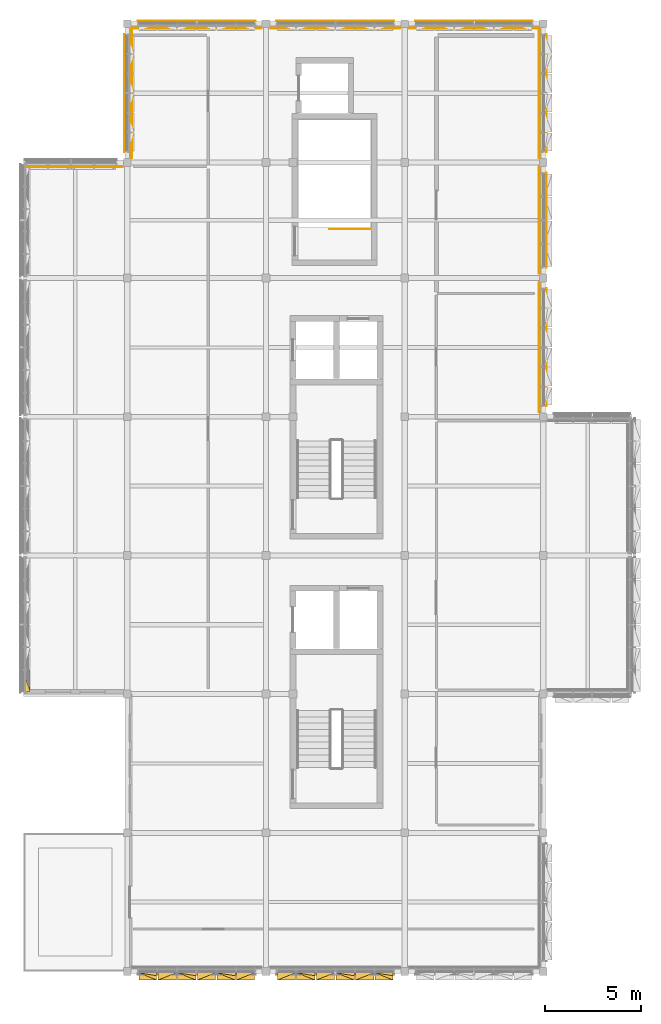
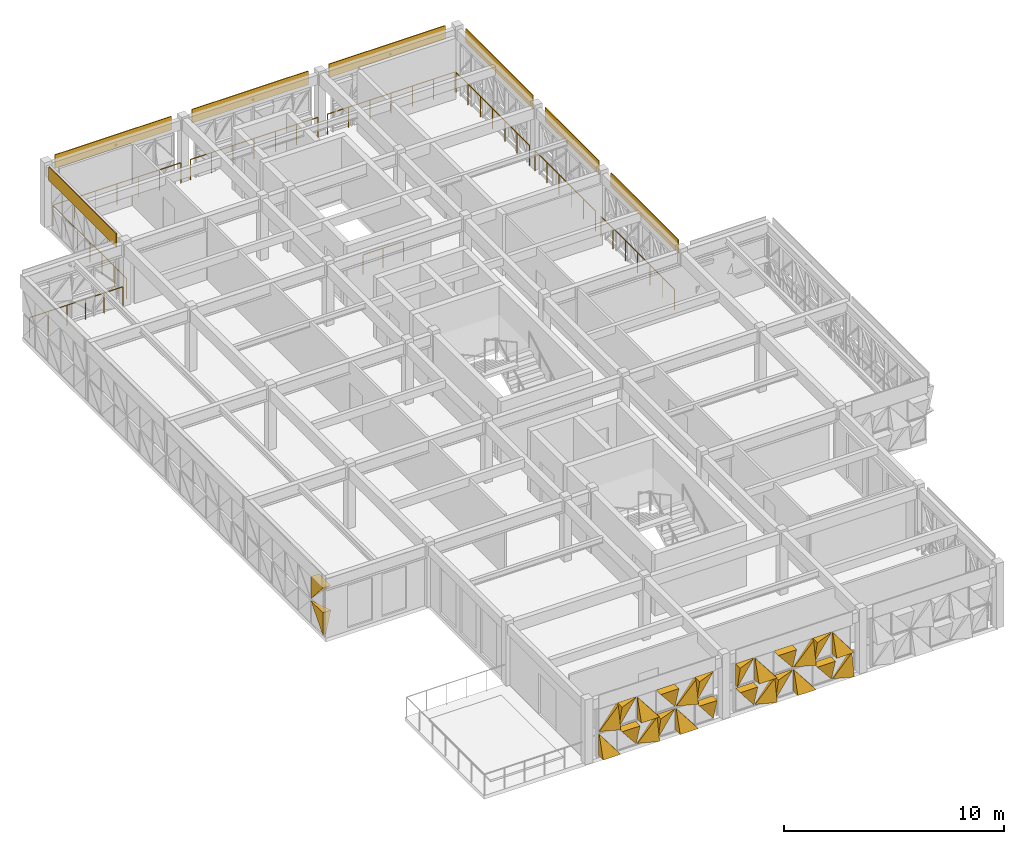
# One storey, part 21 of 25: 33 coverings, 9 railings.
"""IFC4 building model written with IfcOpenShell, lengths in metres."""

from ifc_helpers import new_model, si_unit, direction, frame, origin, origin_2d, place, context, subcontext, project, spatial, polyline, circle, outline, extrude, polygons, material, layer, layer_set, type_object, element, save


model = new_model("IFC4")

# Units and contexts
model_context = context("Model", 3, precision=1e-05, world=origin(), true_north=direction((0.0, 1.0)))
body_context = subcontext(model_context, "Body", "Model", "MODEL_VIEW")
ifc_project = project(units=[si_unit("LENGTHUNIT", "METRE"), si_unit("AREAUNIT", "SQUARE_METRE"), si_unit("VOLUMEUNIT", "CUBIC_METRE"), si_unit("PLANEANGLEUNIT", "RADIAN"), si_unit("MASSUNIT", "GRAM", prefix="KILO")], contexts=[model_context])

# Site, building, storey
site_placement = place(None, origin())
site = spatial("IfcSite", under=ifc_project, at=site_placement, CompositionType="ELEMENT")
building_placement = place(site_placement, origin())
building = spatial("IfcBuilding", under=site, at=building_placement, Name="Alvorim Cloister Faculty of Sciences", CompositionType="ELEMENT")
storey_placement = place(building_placement, frame((0.0, 0.0, 29.699951171875)))
storey = spatial("IfcBuildingStorey", under=building, at=storey_placement, Name="L08", CompositionType="ELEMENT", Elevation=29.699951171875)

# Coverings
ifc_material_1 = material(Name="Anodised Aluminium Alloy 6063-T6", Category="aluminium")
ifc_layer_1 = layer(ifc_material_1, 0.031982421875)
ifc_layer_set_1 = layer_set([ifc_layer_1], Name="Anodised Aluminium Alloy 6063-T6")
covering_type_1 = type_object("IfcCoveringType", Name="COV-FAC-CAS", PredefinedType="CLADDING", material=ifc_layer_set_1)
for number, where, z_axis, x_axis, name in (
    (1, (7.050048828125, 49.739990234375, 2.840087890625), (0.0, 0.0, 1.0), (0.0, 1.0, 0.0), "L08 Shifted Bar Slab-Edge Architectural Fascia"),
    (2, (7.739990234375, 56.550048828125, 2.840087890625), (0.0, 0.0, 1.0), (1.0, 0.0, 0.0), "L08 Shifted Bar Slab-Edge Architectural Fascia"),
    (3, (14.93994140625, 56.550048828125, 2.840087890625), (0.0, 0.0, 1.0), (1.0, 0.0, 0.0), "L08 Shifted Bar Slab-Edge Architectural Fascia"),
    (4, (22.139892578125, 56.550048828125, 2.840087890625), (0.0, 0.0, 1.0), (1.0, 0.0, 0.0), "L08 Shifted Bar Slab-Edge Architectural Fascia"),
    (5, (28.949951171875, 49.739990234375, 2.840087890625), (0.0, 0.0, 1.0), (0.0, 1.0, 0.0), "L08 Shifted Bar Slab-Edge Architectural Fascia"),
):
    element("IfcCovering", number, at=place(storey_placement, frame(where, z_axis=z_axis, x_axis=x_axis)), inside=storey, type_object=covering_type_1, Name=name, PredefinedType="CLADDING", context=body_context, shape_type="SweptSolid", body=[
        extrude(outline(polyline([(0.0, 0.0), (6.1201171875, 0.0), (6.1201171875, 0.75), (0.0, 0.75), (0.0, 0.0)])), frame((0.0, 0.0224609375, 0.0), z_axis=(0.0, -1.0, 0.0), x_axis=(1.0, 0.0, 0.0)), (0.0, 0.0, 1.0), 0.044921875),
    ])
covering_1_placement = place(storey_placement, frame((28.949951171875, 43.739990234375, 2.840087890625), z_axis=(0.0, 0.0, 1.0), x_axis=(0.0, 1.0, 0.0)))
element("IfcCovering", 6, at=covering_1_placement, inside=storey, type_object=covering_type_1, Name="L08 Shifted Bar Slab-Edge Architectural Fascia", PredefinedType="CLADDING", context=body_context, shape_type="SweptSolid", body=[
    extrude(outline(polyline([(0.0, 0.0), (4.919921875, 0.0), (4.919921875, 0.75), (0.0, 0.75), (0.0, 0.0)])), frame((0.0, 0.0224609375, 0.0), z_axis=(0.0, -1.0, 0.0), x_axis=(1.0, 0.0, 0.0)), (0.0, 0.0, 1.0), 0.044921875),
])
covering_2_placement = place(storey_placement, frame((28.949951171875, 36.5400390625, 2.840087890625), z_axis=(0.0, 0.0, 1.0), x_axis=(0.0, 1.0, 0.0)))
element("IfcCovering", 7, at=covering_2_placement, inside=storey, type_object=covering_type_1, Name="L08 Shifted Bar Slab-Edge Architectural Fascia", PredefinedType="CLADDING", context=body_context, shape_type="SweptSolid", body=[
    extrude(outline(polyline([(0.0, 0.0), (6.1201171875, 0.0), (6.1201171875, 0.75), (0.0, 0.75), (0.0, 0.0)])), frame((0.0, 0.0224609375, 0.0), z_axis=(0.0, -1.0, 0.0), x_axis=(1.0, 0.0, 0.0)), (0.0, 0.0, 1.0), 0.044921875),
])
ifc_material_2 = material(Name="Perforated Bronze Alloy Sheet", Category="metal")
ifc_layer_2 = layer(ifc_material_2, 0.0380859375)
ifc_layer_set_2 = layer_set([ifc_layer_2], Name="Perforated Bronze Alloy Sheet")
covering_type_2 = type_object("IfcCoveringType", Name="COV-TRI-BRZ", PredefinedType="CLADDING", material=ifc_layer_set_2)
covering_3_placement = place(storey_placement, frame((1.7548828125, 21.7451171875, 0.14013671875), z_axis=(0.0, 0.0, 1.0), x_axis=(0.0, 1.0, 0.0)))
element("IfcCovering", 8, at=covering_3_placement, inside=storey, type_object=covering_type_2, Name="Diagonal Solid Metal Triangle TRI-TL", PredefinedType="CLADDING", context=body_context, shape_type="Tessellation", body=[
    polygons([(1.073927734375, 0.0260009765625, 1.223388671875), (0.0, 0.0260009765625, 1.223388671875), (0.0, 0.0260009765625, 0.002), (1.073927734375, -0.03, 1.223388671875), (0.0, -0.4, 1.223388671875), (0.0, -0.13999999999999999, 0.002)], [[[1, 3, 2]], [[4, 5, 6]], [[1, 2, 5, 4]], [[2, 3, 6, 5]], [[3, 1, 4, 6]]], closed=True),
])
covering_4_placement = place(storey_placement, frame((1.7548828125, 21.7451171875, 1.503662109375), z_axis=(0.0, 0.0, 1.0), x_axis=(0.0, 1.0, 0.0)))
element("IfcCovering", 9, at=covering_4_placement, inside=storey, type_object=covering_type_2, Name="Diagonal Solid Metal Triangle TRI-TR", PredefinedType="CLADDING", context=body_context, shape_type="Tessellation", body=[
    polygons([(1.075927734375, 0.0260009765625, 0.002), (1.075927734375, 0.0260009765625, 1.223388671875), (0.002, 0.0260009765625, 1.223388671875), (1.075927734375, -0.03, 0.002), (1.075927734375, -0.4, 1.223388671875), (0.002, -0.4, 1.223388671875)], [[[1, 3, 2]], [[4, 5, 6]], [[1, 2, 5, 4]], [[2, 3, 6, 5]], [[3, 1, 4, 6]]], closed=True),
])
covering_5_placement = place(storey_placement, frame((15.0048828125, 7.155029296875, 0.14013671875), z_axis=(0.0, 0.0, 1.0), x_axis=(1.0, 0.0, 0.0)))
element("IfcCovering", 10, at=covering_5_placement, inside=storey, type_object=covering_type_2, Name="Diagonal Solid Metal Triangle TRI-TR", PredefinedType="CLADDING", context=body_context, shape_type="Tessellation", body=[
    polygons([(0.922607421875, 0.0260009765625, 0.002), (0.922607421875, 0.0260009765625, 1.219970703125), (0.002, 0.0260009765625, 1.219970703125), (0.922607421875, -0.03, 0.002), (0.922607421875, -0.4, 1.219970703125), (0.002, -0.4, 1.219970703125)], [[[1, 3, 2]], [[4, 5, 6]], [[1, 2, 5, 4]], [[2, 3, 6, 5]], [[3, 1, 4, 6]]], closed=True),
])
covering_6_placement = place(storey_placement, frame((15.0048828125, 7.155029296875, 1.5), z_axis=(0.0, 0.0, 1.0), x_axis=(1.0, 0.0, 0.0)))
element("IfcCovering", 11, at=covering_6_placement, inside=storey, type_object=covering_type_2, Name="Diagonal Solid Metal Triangle TRI-TL", PredefinedType="CLADDING", context=body_context, shape_type="Tessellation", body=[
    polygons([(0.920607421875, 0.0260009765625, 1.219970703125), (0.0, 0.0260009765625, 1.219970703125), (0.0, 0.0260009765625, 0.002), (0.920607421875, -0.03, 1.219970703125), (0.0, -0.4, 1.219970703125), (0.0, -0.13999999999999999, 0.002)], [[[1, 3, 2]], [[4, 5, 6]], [[1, 2, 5, 4]], [[2, 3, 6, 5]], [[3, 1, 4, 6]]], closed=True),
])
covering_7_placement = place(storey_placement, frame((15.992431640625, 7.155029296875, 0.14013671875), z_axis=(0.0, 0.0, 1.0), x_axis=(1.0, 0.0, 0.0)))
element("IfcCovering", 12, at=covering_7_placement, inside=storey, type_object=covering_type_2, Name="Diagonal Solid Metal Triangle TRI-BR", PredefinedType="CLADDING", context=body_context, shape_type="Tessellation", body=[
    polygons([(0.002, 0.0260009765625, 0.0), (0.955078125, 0.0260009765625, 0.0), (0.955078125, 0.0260009765625, 1.217970703125), (0.002, -0.03, 0.0), (0.955078125, -0.4, 0.0), (0.955078125, -0.18000000000000002, 1.217970703125)], [[[1, 3, 2]], [[4, 5, 6]], [[1, 2, 5, 4]], [[2, 3, 6, 5]], [[3, 1, 4, 6]]], closed=True),
])
covering_8_placement = place(storey_placement, frame((15.992431640625, 7.155029296875, 1.5), z_axis=(0.0, 0.0, 1.0), x_axis=(1.0, 0.0, 0.0)))
element("IfcCovering", 13, at=covering_8_placement, inside=storey, type_object=covering_type_2, Name="Diagonal Solid Metal Triangle TRI-BL", PredefinedType="CLADDING", context=body_context, shape_type="Tessellation", body=[
    polygons([(0.0, 0.0260009765625, 0.0), (0.953078125, 0.0260009765625, 0.0), (0.0, 0.0260009765625, 1.217970703125), (0.0, -0.4, 0.0), (0.953078125, -0.4, 0.0), (0.0, -0.03, 1.217970703125)], [[[1, 3, 2]], [[4, 5, 6]], [[1, 2, 5, 4]], [[2, 3, 6, 5]], [[3, 1, 4, 6]]], closed=True),
])
covering_9_placement = place(storey_placement, frame((17.012451171875, 7.155029296875, 0.14013671875), z_axis=(0.0, 0.0, 1.0), x_axis=(1.0, 0.0, 0.0)))
element("IfcCovering", 14, at=covering_9_placement, inside=storey, type_object=covering_type_2, Name="Diagonal Solid Metal Triangle TRI-TL", PredefinedType="CLADDING", context=body_context, shape_type="Tessellation", body=[
    polygons([(0.953078125, 0.0260009765625, 1.219970703125), (0.0, 0.0260009765625, 1.219970703125), (0.0, 0.0260009765625, 0.002), (0.953078125, -0.03, 1.219970703125), (0.0, -0.4, 1.219970703125), (0.0, -0.13999999999999999, 0.002)], [[[1, 3, 2]], [[4, 5, 6]], [[1, 2, 5, 4]], [[2, 3, 6, 5]], [[3, 1, 4, 6]]], closed=True),
])
covering_10_placement = place(storey_placement, frame((17.012451171875, 7.155029296875, 1.5), z_axis=(0.0, 0.0, 1.0), x_axis=(1.0, 0.0, 0.0)))
element("IfcCovering", 15, at=covering_10_placement, inside=storey, type_object=covering_type_2, Name="Diagonal Solid Metal Triangle TRI-TR", PredefinedType="CLADDING", context=body_context, shape_type="Tessellation", body=[
    polygons([(0.955078125, 0.0260009765625, 0.002), (0.955078125, 0.0260009765625, 1.219970703125), (0.002, 0.0260009765625, 1.219970703125), (0.955078125, -0.03, 0.002), (0.955078125, -0.4, 1.219970703125), (0.002, -0.4, 1.219970703125)], [[[1, 3, 2]], [[4, 5, 6]], [[1, 2, 5, 4]], [[2, 3, 6, 5]], [[3, 1, 4, 6]]], closed=True),
])
covering_11_placement = place(storey_placement, frame((18.032470703125, 7.155029296875, 0.14013671875), z_axis=(0.0, 0.0, 1.0), x_axis=(1.0, 0.0, 0.0)))
element("IfcCovering", 16, at=covering_11_placement, inside=storey, type_object=covering_type_2, Name="Diagonal Solid Metal Triangle TRI-BL", PredefinedType="CLADDING", context=body_context, shape_type="Tessellation", body=[
    polygons([(0.0, 0.0260009765625, 0.0), (0.953078125, 0.0260009765625, 0.0), (0.0, 0.0260009765625, 1.217970703125), (0.0, -0.4, 0.0), (0.953078125, -0.4, 0.0), (0.0, -0.03, 1.217970703125)], [[[1, 3, 2]], [[4, 5, 6]], [[1, 2, 5, 4]], [[2, 3, 6, 5]], [[3, 1, 4, 6]]], closed=True),
])
covering_12_placement = place(storey_placement, frame((18.032470703125, 7.155029296875, 1.5), z_axis=(0.0, 0.0, 1.0), x_axis=(1.0, 0.0, 0.0)))
element("IfcCovering", 17, at=covering_12_placement, inside=storey, type_object=covering_type_2, Name="Diagonal Solid Metal Triangle TRI-BR", PredefinedType="CLADDING", context=body_context, shape_type="Tessellation", body=[
    polygons([(0.002, 0.0260009765625, 0.0), (0.955078125, 0.0260009765625, 0.0), (0.955078125, 0.0260009765625, 1.217970703125), (0.002, -0.03, 0.0), (0.955078125, -0.4, 0.0), (0.955078125, -0.18000000000000002, 1.217970703125)], [[[1, 3, 2]], [[4, 5, 6]], [[1, 2, 5, 4]], [[2, 3, 6, 5]], [[3, 1, 4, 6]]], closed=True),
])
covering_13_placement = place(storey_placement, frame((19.052490234375, 7.155029296875, 0.14013671875), z_axis=(0.0, 0.0, 1.0), x_axis=(1.0, 0.0, 0.0)))
element("IfcCovering", 18, at=covering_13_placement, inside=storey, type_object=covering_type_2, Name="Diagonal Solid Metal Triangle TRI-TR", PredefinedType="CLADDING", context=body_context, shape_type="Tessellation", body=[
    polygons([(0.955078125, 0.0260009765625, 0.002), (0.955078125, 0.0260009765625, 1.219970703125), (0.002, 0.0260009765625, 1.219970703125), (0.955078125, -0.03, 0.002), (0.955078125, -0.4, 1.219970703125), (0.002, -0.4, 1.219970703125)], [[[1, 3, 2]], [[4, 5, 6]], [[1, 2, 5, 4]], [[2, 3, 6, 5]], [[3, 1, 4, 6]]], closed=True),
])
covering_14_placement = place(storey_placement, frame((19.052490234375, 7.155029296875, 1.5), z_axis=(0.0, 0.0, 1.0), x_axis=(1.0, 0.0, 0.0)))
element("IfcCovering", 19, at=covering_14_placement, inside=storey, type_object=covering_type_2, Name="Diagonal Solid Metal Triangle TRI-TL", PredefinedType="CLADDING", context=body_context, shape_type="Tessellation", body=[
    polygons([(0.953078125, 0.0260009765625, 1.219970703125), (0.0, 0.0260009765625, 1.219970703125), (0.0, 0.0260009765625, 0.002), (0.953078125, -0.03, 1.219970703125), (0.0, -0.4, 1.219970703125), (0.0, -0.13999999999999999, 0.002)], [[[1, 3, 2]], [[4, 5, 6]], [[1, 2, 5, 4]], [[2, 3, 6, 5]], [[3, 1, 4, 6]]], closed=True),
])
covering_15_placement = place(storey_placement, frame((20.072509765625, 7.155029296875, 0.14013671875), z_axis=(0.0, 0.0, 1.0), x_axis=(1.0, 0.0, 0.0)))
element("IfcCovering", 20, at=covering_15_placement, inside=storey, type_object=covering_type_2, Name="Diagonal Solid Metal Triangle TRI-BR", PredefinedType="CLADDING", context=body_context, shape_type="Tessellation", body=[
    polygons([(0.002, 0.0260009765625, 0.0), (0.922607421875, 0.0260009765625, 0.0), (0.922607421875, 0.0260009765625, 1.217970703125), (0.002, -0.03, 0.0), (0.922607421875, -0.4, 0.0), (0.922607421875, -0.18000000000000002, 1.217970703125)], [[[1, 3, 2]], [[4, 5, 6]], [[1, 2, 5, 4]], [[2, 3, 6, 5]], [[3, 1, 4, 6]]], closed=True),
])
for number, where, z_axis, x_axis, name in (
    (21, (20.072509765625, 7.155029296875, 1.5), (0.0, 0.0, 1.0), (1.0, 0.0, 0.0), "Diagonal Solid Metal Triangle TRI-BL"),
    (22, (7.804931640625, 7.155029296875, 0.14013671875), (0.0, 0.0, 1.0), (1.0, 0.0, 0.0), "Diagonal Solid Metal Triangle TRI-BL"),
):
    element("IfcCovering", number, at=place(storey_placement, frame(where, z_axis=z_axis, x_axis=x_axis)), inside=storey, type_object=covering_type_2, Name=name, PredefinedType="CLADDING", context=body_context, shape_type="Tessellation", body=[
        polygons([(0.0, 0.0260009765625, 0.0), (0.920607421875, 0.0260009765625, 0.0), (0.0, 0.0260009765625, 1.217970703125), (0.0, -0.4, 0.0), (0.920607421875, -0.4, 0.0), (0.0, -0.03, 1.217970703125)], [[[1, 3, 2]], [[4, 5, 6]], [[1, 2, 5, 4]], [[2, 3, 6, 5]], [[3, 1, 4, 6]]], closed=True),
    ])
covering_16_placement = place(storey_placement, frame((7.804931640625, 7.155029296875, 1.5), z_axis=(0.0, 0.0, 1.0), x_axis=(1.0, 0.0, 0.0)))
element("IfcCovering", 23, at=covering_16_placement, inside=storey, type_object=covering_type_2, Name="Diagonal Solid Metal Triangle TRI-BR", PredefinedType="CLADDING", context=body_context, shape_type="Tessellation", body=[
    polygons([(0.002, 0.0260009765625, 0.0), (0.922607421875, 0.0260009765625, 0.0), (0.922607421875, 0.0260009765625, 1.217970703125), (0.002, -0.03, 0.0), (0.922607421875, -0.4, 0.0), (0.922607421875, -0.18000000000000002, 1.217970703125)], [[[1, 3, 2]], [[4, 5, 6]], [[1, 2, 5, 4]], [[2, 3, 6, 5]], [[3, 1, 4, 6]]], closed=True),
])
covering_17_placement = place(storey_placement, frame((8.79248046875, 7.155029296875, 0.14013671875), z_axis=(0.0, 0.0, 1.0), x_axis=(1.0, 0.0, 0.0)))
element("IfcCovering", 24, at=covering_17_placement, inside=storey, type_object=covering_type_2, Name="Diagonal Solid Metal Triangle TRI-TR", PredefinedType="CLADDING", context=body_context, shape_type="Tessellation", body=[
    polygons([(0.955078125, 0.0260009765625, 0.002), (0.955078125, 0.0260009765625, 1.219970703125), (0.002, 0.0260009765625, 1.219970703125), (0.955078125, -0.03, 0.002), (0.955078125, -0.4, 1.219970703125), (0.002, -0.4, 1.219970703125)], [[[1, 3, 2]], [[4, 5, 6]], [[1, 2, 5, 4]], [[2, 3, 6, 5]], [[3, 1, 4, 6]]], closed=True),
])
covering_18_placement = place(storey_placement, frame((8.79248046875, 7.155029296875, 1.5), z_axis=(0.0, 0.0, 1.0), x_axis=(1.0, 0.0, 0.0)))
element("IfcCovering", 25, at=covering_18_placement, inside=storey, type_object=covering_type_2, Name="Diagonal Solid Metal Triangle TRI-TL", PredefinedType="CLADDING", context=body_context, shape_type="Tessellation", body=[
    polygons([(0.953078125, 0.0260009765625, 1.219970703125), (0.0, 0.0260009765625, 1.219970703125), (0.0, 0.0260009765625, 0.002), (0.953078125, -0.03, 1.219970703125), (0.0, -0.4, 1.219970703125), (0.0, -0.13999999999999999, 0.002)], [[[1, 3, 2]], [[4, 5, 6]], [[1, 2, 5, 4]], [[2, 3, 6, 5]], [[3, 1, 4, 6]]], closed=True),
])
covering_19_placement = place(storey_placement, frame((9.8125, 7.155029296875, 0.14013671875), z_axis=(0.0, 0.0, 1.0), x_axis=(1.0, 0.0, 0.0)))
element("IfcCovering", 26, at=covering_19_placement, inside=storey, type_object=covering_type_2, Name="Diagonal Solid Metal Triangle TRI-BR", PredefinedType="CLADDING", context=body_context, shape_type="Tessellation", body=[
    polygons([(0.002, 0.0260009765625, 0.0), (0.955078125, 0.0260009765625, 0.0), (0.955078125, 0.0260009765625, 1.217970703125), (0.002, -0.03, 0.0), (0.955078125, -0.4, 0.0), (0.955078125, -0.18000000000000002, 1.217970703125)], [[[1, 3, 2]], [[4, 5, 6]], [[1, 2, 5, 4]], [[2, 3, 6, 5]], [[3, 1, 4, 6]]], closed=True),
])
covering_20_placement = place(storey_placement, frame((9.8125, 7.155029296875, 1.5), z_axis=(0.0, 0.0, 1.0), x_axis=(1.0, 0.0, 0.0)))
element("IfcCovering", 27, at=covering_20_placement, inside=storey, type_object=covering_type_2, Name="Diagonal Solid Metal Triangle TRI-BL", PredefinedType="CLADDING", context=body_context, shape_type="Tessellation", body=[
    polygons([(0.0, 0.0260009765625, 0.0), (0.953078125, 0.0260009765625, 0.0), (0.0, 0.0260009765625, 1.217970703125), (0.0, -0.4, 0.0), (0.953078125, -0.4, 0.0), (0.0, -0.03, 1.217970703125)], [[[1, 3, 2]], [[4, 5, 6]], [[1, 2, 5, 4]], [[2, 3, 6, 5]], [[3, 1, 4, 6]]], closed=True),
])
covering_21_placement = place(storey_placement, frame((10.83251953125, 7.155029296875, 0.14013671875), z_axis=(0.0, 0.0, 1.0), x_axis=(1.0, 0.0, 0.0)))
element("IfcCovering", 28, at=covering_21_placement, inside=storey, type_object=covering_type_2, Name="Diagonal Solid Metal Triangle TRI-TL", PredefinedType="CLADDING", context=body_context, shape_type="Tessellation", body=[
    polygons([(0.953078125, 0.0260009765625, 1.219970703125), (0.0, 0.0260009765625, 1.219970703125), (0.0, 0.0260009765625, 0.002), (0.953078125, -0.03, 1.219970703125), (0.0, -0.4, 1.219970703125), (0.0, -0.13999999999999999, 0.002)], [[[1, 3, 2]], [[4, 5, 6]], [[1, 2, 5, 4]], [[2, 3, 6, 5]], [[3, 1, 4, 6]]], closed=True),
])
covering_22_placement = place(storey_placement, frame((10.83251953125, 7.155029296875, 1.5), z_axis=(0.0, 0.0, 1.0), x_axis=(1.0, 0.0, 0.0)))
element("IfcCovering", 29, at=covering_22_placement, inside=storey, type_object=covering_type_2, Name="Diagonal Solid Metal Triangle TRI-TR", PredefinedType="CLADDING", context=body_context, shape_type="Tessellation", body=[
    polygons([(0.955078125, 0.0260009765625, 0.002), (0.955078125, 0.0260009765625, 1.219970703125), (0.002, 0.0260009765625, 1.219970703125), (0.955078125, -0.03, 0.002), (0.955078125, -0.4, 1.219970703125), (0.002, -0.4, 1.219970703125)], [[[1, 3, 2]], [[4, 5, 6]], [[1, 2, 5, 4]], [[2, 3, 6, 5]], [[3, 1, 4, 6]]], closed=True),
])
covering_23_placement = place(storey_placement, frame((11.8525390625, 7.155029296875, 0.14013671875), z_axis=(0.0, 0.0, 1.0), x_axis=(1.0, 0.0, 0.0)))
element("IfcCovering", 30, at=covering_23_placement, inside=storey, type_object=covering_type_2, Name="Diagonal Solid Metal Triangle TRI-BL", PredefinedType="CLADDING", context=body_context, shape_type="Tessellation", body=[
    polygons([(0.0, 0.0260009765625, 0.0), (0.953078125, 0.0260009765625, 0.0), (0.0, 0.0260009765625, 1.217970703125), (0.0, -0.4, 0.0), (0.953078125, -0.4, 0.0), (0.0, -0.03, 1.217970703125)], [[[1, 3, 2]], [[4, 5, 6]], [[1, 2, 5, 4]], [[2, 3, 6, 5]], [[3, 1, 4, 6]]], closed=True),
])
covering_24_placement = place(storey_placement, frame((11.8525390625, 7.155029296875, 1.5), z_axis=(0.0, 0.0, 1.0), x_axis=(1.0, 0.0, 0.0)))
element("IfcCovering", 31, at=covering_24_placement, inside=storey, type_object=covering_type_2, Name="Diagonal Solid Metal Triangle TRI-BR", PredefinedType="CLADDING", context=body_context, shape_type="Tessellation", body=[
    polygons([(0.002, 0.0260009765625, 0.0), (0.955078125, 0.0260009765625, 0.0), (0.955078125, 0.0260009765625, 1.217970703125), (0.002, -0.03, 0.0), (0.955078125, -0.4, 0.0), (0.955078125, -0.18000000000000002, 1.217970703125)], [[[1, 3, 2]], [[4, 5, 6]], [[1, 2, 5, 4]], [[2, 3, 6, 5]], [[3, 1, 4, 6]]], closed=True),
])
covering_25_placement = place(storey_placement, frame((12.87255859375, 7.155029296875, 0.14013671875), z_axis=(0.0, 0.0, 1.0), x_axis=(1.0, 0.0, 0.0)))
element("IfcCovering", 32, at=covering_25_placement, inside=storey, type_object=covering_type_2, Name="Diagonal Solid Metal Triangle TRI-TR", PredefinedType="CLADDING", context=body_context, shape_type="Tessellation", body=[
    polygons([(0.922607421875, 0.0260009765625, 0.002), (0.922607421875, 0.0260009765625, 1.219970703125), (0.002, 0.0260009765625, 1.219970703125), (0.922607421875, -0.03, 0.002), (0.922607421875, -0.4, 1.219970703125), (0.002, -0.4, 1.219970703125)], [[[1, 3, 2]], [[4, 5, 6]], [[1, 2, 5, 4]], [[2, 3, 6, 5]], [[3, 1, 4, 6]]], closed=True),
])
covering_26_placement = place(storey_placement, frame((12.87255859375, 7.155029296875, 1.5), z_axis=(0.0, 0.0, 1.0), x_axis=(1.0, 0.0, 0.0)))
element("IfcCovering", 33, at=covering_26_placement, inside=storey, type_object=covering_type_2, Name="Diagonal Solid Metal Triangle TRI-TL", PredefinedType="CLADDING", context=body_context, shape_type="Tessellation", body=[
    polygons([(0.920607421875, 0.0260009765625, 1.219970703125), (0.0, 0.0260009765625, 1.219970703125), (0.0, 0.0260009765625, 0.002), (0.920607421875, -0.03, 1.219970703125), (0.0, -0.4, 1.219970703125), (0.0, -0.13999999999999999, 0.002)], [[[1, 3, 2]], [[4, 5, 6]], [[1, 2, 5, 4]], [[2, 3, 6, 5]], [[3, 1, 4, 6]]], closed=True),
])

# Railings
ifc_material_3 = material(Name="Laminated Safety Glass and Bronze", Category="glass")
railing_type_1 = type_object("IfcRailingType", Name="RL-ATR-BAL-1150", PredefinedType="BALUSTRADE", material=ifc_material_3)
railing_1_placement = place(storey_placement, frame((2.050048828125, 48.97998046875, 0.0)))
element("IfcRailing", 34, at=railing_1_placement, inside=storey, type_object=railing_type_1, Name="L08 Curtain Wall Sill Guard BL-279", PredefinedType="BALUSTRADE", context=body_context, shape_type="SweptSolid", body=[
    extrude(circle(Radius=0.02392578125, at=origin_2d()), frame((0.0, 0.0, 1.1259765625), z_axis=(1.0, 0.0, 0.0), x_axis=(0.0, 1.0, 0.0)), (0.0, 0.0, 1.0), 4.89990234375),
    extrude(circle(Radius=0.02099609375, at=origin_2d()), origin(), (0.0, 0.0, 1.0), 1.101806640625),
    extrude(circle(Radius=0.02099609375, at=origin_2d()), frame((0.97998046875, 0.0, 0.0)), (0.0, 0.0, 1.0), 1.101806640625),
    extrude(circle(Radius=0.02099609375, at=origin_2d()), frame((1.9599609375, 0.0, 0.0)), (0.0, 0.0, 1.0), 1.101806640625),
    extrude(circle(Radius=0.02099609375, at=origin_2d()), frame((2.93994140625, 0.0, 0.0)), (0.0, 0.0, 1.0), 1.101806640625),
    extrude(circle(Radius=0.02099609375, at=origin_2d()), frame((3.919921875, 0.0, 0.0)), (0.0, 0.0, 1.0), 1.101806640625),
    extrude(circle(Radius=0.02099609375, at=origin_2d()), frame((4.89990234375, 0.0, 0.0)), (0.0, 0.0, 1.0), 1.101806640625),
])
railing_2_placement = place(storey_placement, frame((7.419921875, 49.449951171875, 0.0)))
element("IfcRailing", 35, at=railing_2_placement, inside=storey, type_object=railing_type_1, Name="L08 Curtain Wall Sill Guard BL-280", PredefinedType="BALUSTRADE", context=body_context, shape_type="SweptSolid", body=[
    extrude(circle(Radius=0.02392578125, at=origin_2d()), frame((0.0, 0.0, 1.1259765625), z_axis=(0.0, 1.0, 0.0), x_axis=(-1.0, 0.0, 0.0)), (0.0, 0.0, 1.0), 6.699951171875),
    extrude(circle(Radius=0.02099609375, at=origin_2d()), origin(), (0.0, 0.0, 1.0), 1.101806640625),
    extrude(circle(Radius=0.02099609375, at=origin_2d()), frame((0.0, 1.11669921875, 0.0)), (0.0, 0.0, 1.0), 1.101806640625),
    extrude(circle(Radius=0.02099609375, at=origin_2d()), frame((0.0, 2.2333984375, 0.0)), (0.0, 0.0, 1.0), 1.101806640625),
    extrude(circle(Radius=0.02099609375, at=origin_2d()), frame((0.0, 3.35009765625, 0.0)), (0.0, 0.0, 1.0), 1.101806640625),
    extrude(circle(Radius=0.02099609375, at=origin_2d()), frame((0.0, 4.466552734375, 0.0)), (0.0, 0.0, 1.0), 1.101806640625),
    extrude(circle(Radius=0.02099609375, at=origin_2d()), frame((0.0, 5.583251953125, 0.0)), (0.0, 0.0, 1.0), 1.101806640625),
    extrude(circle(Radius=0.02099609375, at=origin_2d()), frame((0.0, 6.699951171875, 0.0)), (0.0, 0.0, 1.0), 1.101806640625),
])
railing_3_placement = place(storey_placement, frame((7.449951171875, 56.179931640625, 0.0)))
element("IfcRailing", 36, at=railing_3_placement, inside=storey, type_object=railing_type_1, Name="L08 Curtain Wall Sill Guard BL-281", PredefinedType="BALUSTRADE", context=body_context, shape_type="SweptSolid", body=[
    extrude(circle(Radius=0.02392578125, at=origin_2d()), frame((0.0, 0.0, 1.1259765625), z_axis=(1.0, 0.0, 0.0), x_axis=(0.0, 1.0, 0.0)), (0.0, 0.0, 1.0), 6.699951171875),
    extrude(circle(Radius=0.02099609375, at=origin_2d()), origin(), (0.0, 0.0, 1.0), 1.101806640625),
    extrude(circle(Radius=0.02099609375, at=origin_2d()), frame((1.11669921875, 0.0, 0.0)), (0.0, 0.0, 1.0), 1.101806640625),
    extrude(circle(Radius=0.02099609375, at=origin_2d()), frame((2.2333984375, 0.0, 0.0)), (0.0, 0.0, 1.0), 1.101806640625),
    extrude(circle(Radius=0.02099609375, at=origin_2d()), frame((3.35009765625, 0.0, 0.0)), (0.0, 0.0, 1.0), 1.101806640625),
    extrude(circle(Radius=0.02099609375, at=origin_2d()), frame((4.466552734375, 0.0, 0.0)), (0.0, 0.0, 1.0), 1.101806640625),
    extrude(circle(Radius=0.02099609375, at=origin_2d()), frame((5.583251953125, 0.0, 0.0)), (0.0, 0.0, 1.0), 1.101806640625),
    extrude(circle(Radius=0.02099609375, at=origin_2d()), frame((6.699951171875, 0.0, 0.0)), (0.0, 0.0, 1.0), 1.101806640625),
])
railing_4_placement = place(storey_placement, frame((14.64990234375, 56.179931640625, 0.0)))
element("IfcRailing", 37, at=railing_4_placement, inside=storey, type_object=railing_type_1, Name="L08 Curtain Wall Sill Guard BL-282", PredefinedType="BALUSTRADE", context=body_context, shape_type="SweptSolid", body=[
    extrude(circle(Radius=0.02392578125, at=origin_2d()), frame((0.0, 0.0, 1.1259765625), z_axis=(1.0, 0.0, 0.0), x_axis=(0.0, 1.0, 0.0)), (0.0, 0.0, 1.0), 6.7001953125),
    extrude(circle(Radius=0.02099609375, at=origin_2d()), origin(), (0.0, 0.0, 1.0), 1.101806640625),
    extrude(circle(Radius=0.02099609375, at=origin_2d()), frame((1.11669921875, 0.0, 0.0)), (0.0, 0.0, 1.0), 1.101806640625),
    extrude(circle(Radius=0.02099609375, at=origin_2d()), frame((2.2333984375, 0.0, 0.0)), (0.0, 0.0, 1.0), 1.101806640625),
    extrude(circle(Radius=0.02099609375, at=origin_2d()), frame((3.35009765625, 0.0, 0.0)), (0.0, 0.0, 1.0), 1.101806640625),
    extrude(circle(Radius=0.02099609375, at=origin_2d()), frame((4.466796875, 0.0, 0.0)), (0.0, 0.0, 1.0), 1.101806640625),
    extrude(circle(Radius=0.02099609375, at=origin_2d()), frame((5.58349609375, 0.0, 0.0)), (0.0, 0.0, 1.0), 1.101806640625),
    extrude(circle(Radius=0.02099609375, at=origin_2d()), frame((6.7001953125, 0.0, 0.0)), (0.0, 0.0, 1.0), 1.101806640625),
])
railing_5_placement = place(storey_placement, frame((21.85009765625, 56.179931640625, 0.0)))
element("IfcRailing", 38, at=railing_5_placement, inside=storey, type_object=railing_type_1, Name="L08 Curtain Wall Sill Guard BL-283", PredefinedType="BALUSTRADE", context=body_context, shape_type="SweptSolid", body=[
    extrude(circle(Radius=0.02392578125, at=origin_2d()), frame((0.0, 0.0, 1.1259765625), z_axis=(1.0, 0.0, 0.0), x_axis=(0.0, 1.0, 0.0)), (0.0, 0.0, 1.0), 6.699951171875),
    extrude(circle(Radius=0.02099609375, at=origin_2d()), origin(), (0.0, 0.0, 1.0), 1.101806640625),
    extrude(circle(Radius=0.02099609375, at=origin_2d()), frame((1.11669921875, 0.0, 0.0)), (0.0, 0.0, 1.0), 1.101806640625),
    extrude(circle(Radius=0.02099609375, at=origin_2d()), frame((2.2333984375, 0.0, 0.0)), (0.0, 0.0, 1.0), 1.101806640625),
    extrude(circle(Radius=0.02099609375, at=origin_2d()), frame((3.35009765625, 0.0, 0.0)), (0.0, 0.0, 1.0), 1.101806640625),
    extrude(circle(Radius=0.02099609375, at=origin_2d()), frame((4.466552734375, 0.0, 0.0)), (0.0, 0.0, 1.0), 1.101806640625),
    extrude(circle(Radius=0.02099609375, at=origin_2d()), frame((5.583251953125, 0.0, 0.0)), (0.0, 0.0, 1.0), 1.101806640625),
    extrude(circle(Radius=0.02099609375, at=origin_2d()), frame((6.699951171875, 0.0, 0.0)), (0.0, 0.0, 1.0), 1.101806640625),
])
railing_6_placement = place(storey_placement, frame((28.580078125, 49.449951171875, 0.0)))
element("IfcRailing", 39, at=railing_6_placement, inside=storey, type_object=railing_type_1, Name="L08 Curtain Wall Sill Guard BL-284", PredefinedType="BALUSTRADE", context=body_context, shape_type="SweptSolid", body=[
    extrude(circle(Radius=0.02392578125, at=origin_2d()), frame((0.0, 0.0, 1.1259765625), z_axis=(0.0, 1.0, 0.0), x_axis=(-1.0, 0.0, 0.0)), (0.0, 0.0, 1.0), 6.699951171875),
    extrude(circle(Radius=0.02099609375, at=origin_2d()), origin(), (0.0, 0.0, 1.0), 1.101806640625),
    extrude(circle(Radius=0.02099609375, at=origin_2d()), frame((0.0, 1.11669921875, 0.0)), (0.0, 0.0, 1.0), 1.101806640625),
    extrude(circle(Radius=0.02099609375, at=origin_2d()), frame((0.0, 2.2333984375, 0.0)), (0.0, 0.0, 1.0), 1.101806640625),
    extrude(circle(Radius=0.02099609375, at=origin_2d()), frame((0.0, 3.35009765625, 0.0)), (0.0, 0.0, 1.0), 1.101806640625),
    extrude(circle(Radius=0.02099609375, at=origin_2d()), frame((0.0, 4.466552734375, 0.0)), (0.0, 0.0, 1.0), 1.101806640625),
    extrude(circle(Radius=0.02099609375, at=origin_2d()), frame((0.0, 5.583251953125, 0.0)), (0.0, 0.0, 1.0), 1.101806640625),
    extrude(circle(Radius=0.02099609375, at=origin_2d()), frame((0.0, 6.699951171875, 0.0)), (0.0, 0.0, 1.0), 1.101806640625),
])
railing_7_placement = place(storey_placement, frame((28.580078125, 43.449951171875, 0.0)))
element("IfcRailing", 40, at=railing_7_placement, inside=storey, type_object=railing_type_1, Name="L08 Curtain Wall Sill Guard BL-285", PredefinedType="BALUSTRADE", context=body_context, shape_type="SweptSolid", body=[
    extrude(circle(Radius=0.02392578125, at=origin_2d()), frame((0.0, 0.0, 1.1259765625), z_axis=(0.0, 1.0, 0.0), x_axis=(-1.0, 0.0, 0.0)), (0.0, 0.0, 1.0), 5.5),
    extrude(circle(Radius=0.02099609375, at=origin_2d()), origin(), (0.0, 0.0, 1.0), 1.101806640625),
    extrude(circle(Radius=0.02099609375, at=origin_2d()), frame((0.0, 1.10009765625, 0.0)), (0.0, 0.0, 1.0), 1.101806640625),
    extrude(circle(Radius=0.02099609375, at=origin_2d()), frame((0.0, 2.199951171875, 0.0)), (0.0, 0.0, 1.0), 1.101806640625),
    extrude(circle(Radius=0.02099609375, at=origin_2d()), frame((0.0, 3.300048828125, 0.0)), (0.0, 0.0, 1.0), 1.101806640625),
    extrude(circle(Radius=0.02099609375, at=origin_2d()), frame((0.0, 4.39990234375, 0.0)), (0.0, 0.0, 1.0), 1.101806640625),
    extrude(circle(Radius=0.02099609375, at=origin_2d()), frame((0.0, 5.5, 0.0)), (0.0, 0.0, 1.0), 1.101806640625),
])
railing_8_placement = place(storey_placement, frame((28.580078125, 36.25, 0.0)))
element("IfcRailing", 41, at=railing_8_placement, inside=storey, type_object=railing_type_1, Name="L08 Curtain Wall Sill Guard BL-286", PredefinedType="BALUSTRADE", context=body_context, shape_type="SweptSolid", body=[
    extrude(circle(Radius=0.02392578125, at=origin_2d()), frame((0.0, 0.0, 1.1259765625), z_axis=(0.0, 1.0, 0.0), x_axis=(-1.0, 0.0, 0.0)), (0.0, 0.0, 1.0), 6.699951171875),
    extrude(circle(Radius=0.02099609375, at=origin_2d()), origin(), (0.0, 0.0, 1.0), 1.101806640625),
    extrude(circle(Radius=0.02099609375, at=origin_2d()), frame((0.0, 1.11669921875, 0.0)), (0.0, 0.0, 1.0), 1.101806640625),
    extrude(circle(Radius=0.02099609375, at=origin_2d()), frame((0.0, 2.2333984375, 0.0)), (0.0, 0.0, 1.0), 1.101806640625),
    extrude(circle(Radius=0.02099609375, at=origin_2d()), frame((0.0, 3.35009765625, 0.0)), (0.0, 0.0, 1.0), 1.101806640625),
    extrude(circle(Radius=0.02099609375, at=origin_2d()), frame((0.0, 4.466552734375, 0.0)), (0.0, 0.0, 1.0), 1.101806640625),
    extrude(circle(Radius=0.02099609375, at=origin_2d()), frame((0.0, 5.583251953125, 0.0)), (0.0, 0.0, 1.0), 1.101806640625),
    extrude(circle(Radius=0.02099609375, at=origin_2d()), frame((0.0, 6.699951171875, 0.0)), (0.0, 0.0, 1.0), 1.101806640625),
])
ifc_material_4 = material(Name="Galvanised Painted Steel", Category="steel")
railing_type_2 = type_object("IfcRailingType", Name="RL-STR-GUARD", PredefinedType="GUARDRAIL", material=ifc_material_4)
railing_9_placement = place(storey_placement, frame((19.820068359375, 45.75, 0.0)))
element("IfcRailing", 42, at=railing_9_placement, inside=storey, type_object=railing_type_2, Name="L08 ST-03 top well guard 1", PredefinedType="GUARDRAIL", context=body_context, shape_type="SweptSolid", body=[
    extrude(circle(Radius=0.02392578125, at=origin_2d()), frame((0.0, 0.0, 1.09619140625), z_axis=(-1.0, 0.0, 0.0), x_axis=(0.0, -1.0, 0.0)), (0.0, 0.0, 1.0), 2.1201171875),
    extrude(circle(Radius=0.02099609375, at=origin_2d()), origin(), (0.0, 0.0, 1.0), 1.072021484375),
    extrude(circle(Radius=0.02099609375, at=origin_2d()), frame((-1.06005859375, 0.0, 0.0)), (0.0, 0.0, 1.0), 1.072021484375),
    extrude(circle(Radius=0.02099609375, at=origin_2d()), frame((-2.1201171875, 0.0, 0.0)), (0.0, 0.0, 1.0), 1.072021484375),
])

save(model, "model.ifc")
